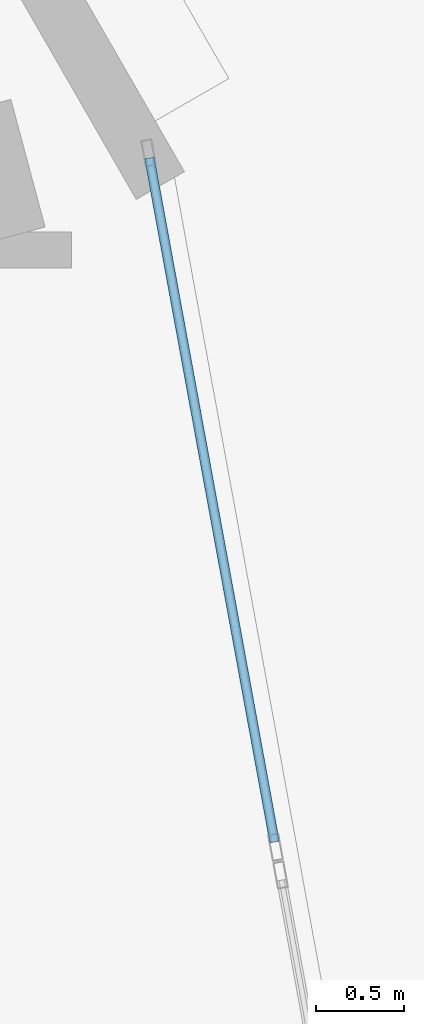
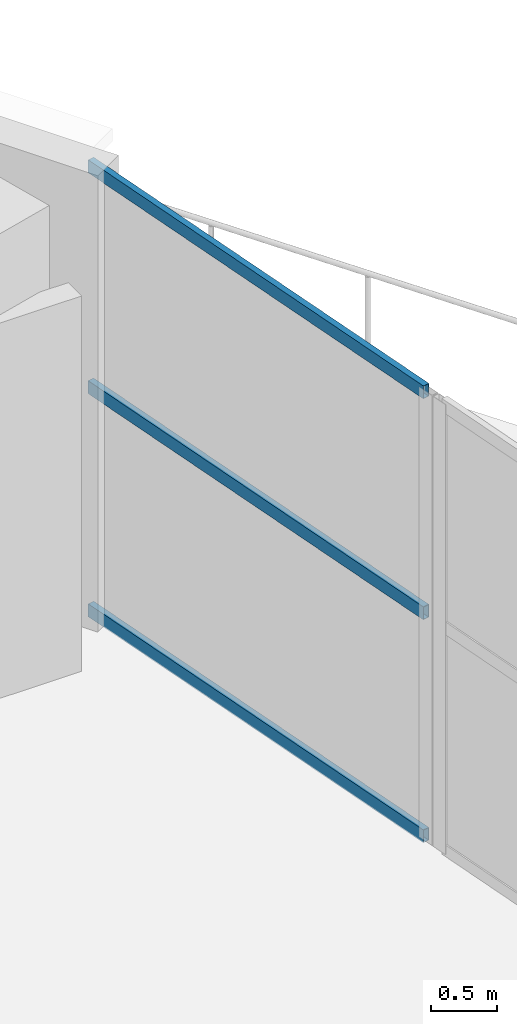
# One storey, part 55 of 107: 3 members, 1 element without a shape of its own.
"""IFC4 building model written with IfcOpenShell, lengths in metres."""

from ifc_helpers import new_model, si_unit, direction, frame, origin, origin_2d, place, context, subcontext, project, spatial, hollow_rectangle, extrude, material, layer, layer_set, material_profile, profile_set, type_object, element, aggregate, save


model = new_model("IFC4")

# Units and contexts
model_context = context("Model", 3, precision=1e-05, world=origin(), true_north=direction((0.0, 1.0)))
body_context = subcontext(model_context, "Body", "Model", "MODEL_VIEW")
ifc_project = project(units=[si_unit("LENGTHUNIT", "METRE"), si_unit("AREAUNIT", "SQUARE_METRE"), si_unit("VOLUMEUNIT", "CUBIC_METRE"), si_unit("PLANEANGLEUNIT", "RADIAN"), si_unit("MASSUNIT", "GRAM", prefix="KILO")], contexts=[model_context])

# Site, building, storey
site_placement = place(None, origin())
site = spatial("IfcSite", under=ifc_project, at=site_placement, CompositionType="ELEMENT")
building_placement = place(site_placement, origin())
building = spatial("IfcBuilding", under=site, at=building_placement, Name="Kalgoora Escarpment Arena", CompositionType="ELEMENT")
storey_placement = place(building_placement, frame((0.0, 0.0, 5.39990234375)))
storey = spatial("IfcBuildingStorey", under=building, at=storey_placement, Name="L01", CompositionType="ELEMENT", Elevation=5.39990234375)

# Curtain wall, members
ifc_material_1 = material(Name=" Champagne anodised aluminium & double-glazed low-E", Category="aluminium")
ifc_layer = layer(ifc_material_1, 0.166015625)
ifc_layer_set = layer_set([ifc_layer], Name="CW-UNIT-14")
curtain_wall_type = type_object("IfcCurtainWallType", Name="CW-UNIT-14", PredefinedType="NOTDEFINED", material=ifc_layer_set)
curtain_wall_placement = place(storey_placement, origin())
curtain_wall = element("IfcCurtainWall", 1, at=curtain_wall_placement, inside=storey, type_object=curtain_wall_type, Name="L01 unitised facade curtain wall 033", PredefinedType="NOTDEFINED")
ifc_material_2 = material(Name="Anodised aluminium 6063-T6", Category="aluminium")
ifc_material_profile = material_profile(ifc_material_2, hollow_rectangle(XDim=0.054931640625, YDim=0.1201171875, WallThickness=0.003173828125, at=origin_2d()))
ifc_profile_set = profile_set([ifc_material_profile], Name="Anodised aluminium 6063-T6")
member_type = type_object("IfcMemberType", Name="MEM-CW-TRAN-120", PredefinedType="USERDEFINED", material=ifc_profile_set)
member_1_placement = place(storey_placement, frame((176.328369140625, 80.12158203125, 0.047607421875), z_axis=(0.17996288186, -0.98367340167, 0.0), x_axis=(0.98367340167, 0.17996288186, 0.0)))
member_1 = element("IfcMember", 2, at=member_1_placement, type_object=member_type, Name="CW-14 transom 1.1", ObjectType="TRANSOM", PredefinedType="USERDEFINED", context=body_context, shape_type="SweptSolid", body=[
    extrude(hollow_rectangle(XDim=0.054931640625, YDim=0.1201171875, WallThickness=0.003173828125, at=origin_2d()), origin(), (0.0, 0.0, 1.0), 3.94775390625),
])
member_2_placement = place(storey_placement, frame((176.328369140625, 80.12158203125, 2.125), z_axis=(0.17996288186, -0.98367340167, 0.0), x_axis=(0.98367340167, 0.17996288186, 0.0)))
member_2 = element("IfcMember", 3, at=member_2_placement, type_object=member_type, Name="CW-14 transom 1.2", ObjectType="TRANSOM", PredefinedType="USERDEFINED", context=body_context, shape_type="SweptSolid", body=[
    extrude(hollow_rectangle(XDim=0.054931640625, YDim=0.1201171875, WallThickness=0.003173828125, at=origin_2d()), origin(), (0.0, 0.0, 1.0), 3.94775390625),
])
member_3_placement = place(storey_placement, frame((176.328369140625, 80.12158203125, 4.1826171875), z_axis=(0.17996288186, -0.98367340167, 0.0), x_axis=(0.98367340167, 0.17996288186, 0.0)))
member_3 = element("IfcMember", 4, at=member_3_placement, type_object=member_type, Name="CW-14 transom 1.3", ObjectType="TRANSOM", PredefinedType="USERDEFINED", context=body_context, shape_type="SweptSolid", body=[
    extrude(hollow_rectangle(XDim=0.054931640625, YDim=0.1201171875, WallThickness=0.003173828125, at=origin_2d()), origin(), (0.0, 0.0, 1.0), 3.94775390625),
])
aggregate(curtain_wall, [member_1, member_2, member_3])

save(model, "model.ifc")
